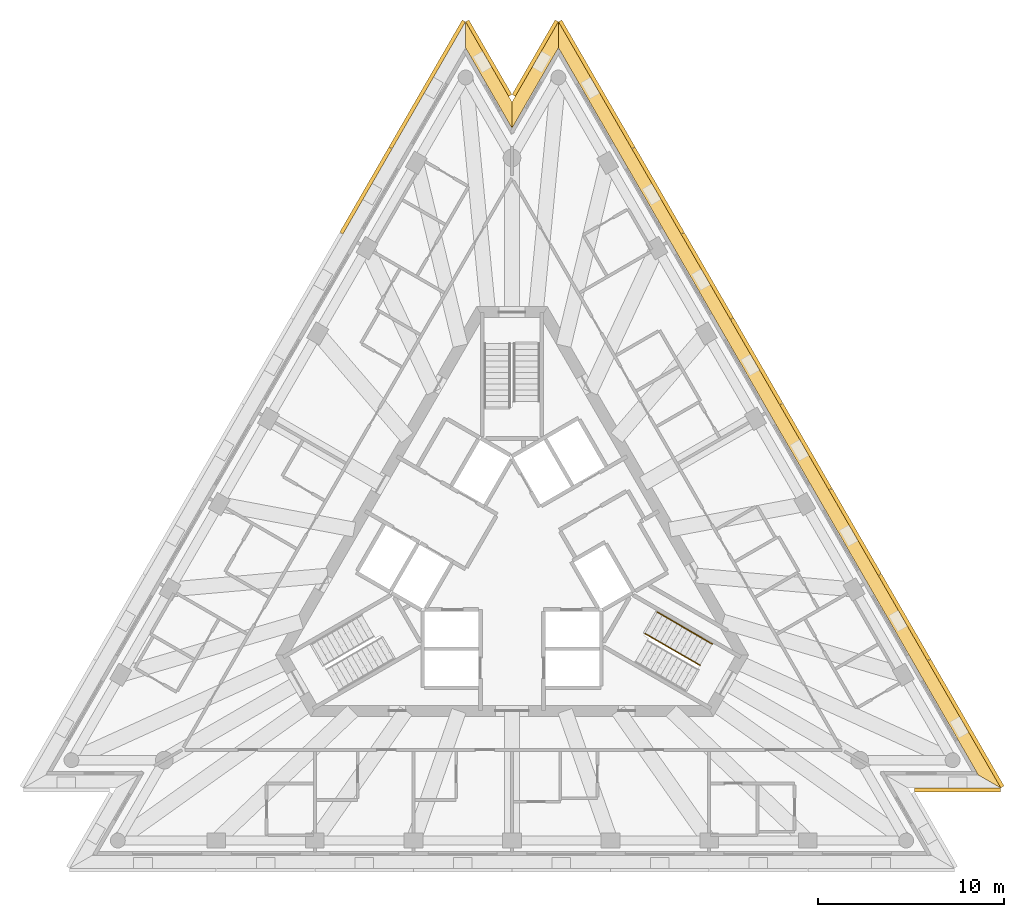
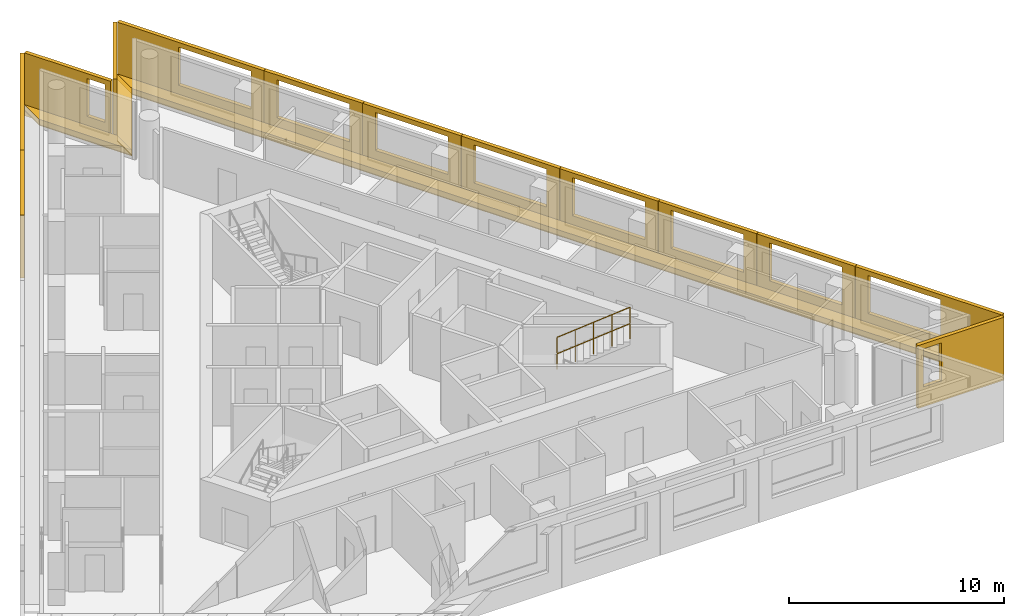
# One storey, part 11 of 11: 16 shading devices, 3 coverings, 2 railings, 1 element without a shape of its own.
"""IFC4 building model written with IfcOpenShell, lengths in metres."""

from ifc_helpers import new_model, si_unit, direction, frame, origin, origin_2d, place, context, subcontext, project, spatial, polyline, circle, outline, extrude, material, layer, layer_set, layer_usage, type_object, element, aggregate, save


model = new_model("IFC4")

# Units and contexts
model_context = context("Model", 3, precision=1e-05, world=origin(), true_north=direction((0.0, 1.0)))
body_context = subcontext(model_context, "Body", "Model", "MODEL_VIEW")
ifc_project = project(units=[si_unit("LENGTHUNIT", "METRE"), si_unit("AREAUNIT", "SQUARE_METRE"), si_unit("VOLUMEUNIT", "CUBIC_METRE"), si_unit("PLANEANGLEUNIT", "RADIAN"), si_unit("MASSUNIT", "GRAM", prefix="KILO")], contexts=[model_context])

# Site, building, storey
site_placement = place(None, origin())
site = spatial("IfcSite", under=ifc_project, at=site_placement, CompositionType="ELEMENT")
building_placement = place(site_placement, origin())
building = spatial("IfcBuilding", under=site, at=building_placement, Name="Triada Interchange Tower", CompositionType="ELEMENT")
storey_placement = place(building_placement, frame((0.0, 0.0, 304.300048828125)))
storey = spatial("IfcBuildingStorey", under=building, at=storey_placement, Name="L72", CompositionType="ELEMENT", Elevation=304.300048828125)

# Coverings
ifc_material_1 = material(Name="Mineral fire-stop board")
ifc_layer_1 = layer(ifc_material_1, 0.0400390625, Name="Mineral fire-stop board")
ifc_material_2 = material(Name="Intumescent sealant")
ifc_layer_2 = layer(ifc_material_2, 0.010009765625, Name="Intumescent seal")
ifc_layer_set_1 = layer_set([ifc_layer_1, ifc_layer_2], Name="Cavity fire stop")
ifc_layer_usage = layer_usage(ifc_layer_set_1, "AXIS3", "POSITIVE", 0.0)
covering_type = type_object("IfcCoveringType", Name="Cavity fire stop", PredefinedType="INSULATION", material=ifc_layer_set_1)
covering_1_placement = place(storey_placement, origin())
element("IfcCovering", 1, at=covering_1_placement, inside=storey, type_object=covering_type, material=ifc_layer_usage, Name="Cavity fire stop L72 NE", PredefinedType="INSULATION", context=body_context, shape_type="SweptSolid", body=[
    extrude(outline(polyline([(25.087890625, -11.60009765625), (26.300048828125, -12.300048828125), (2.498046875, 28.927001953125), (2.498046875, 27.527099609375), (25.087890625, -11.60009765625)])), origin(), (0.0, 0.0, 1.0), 0.050048828125),
])
covering_2_placement = place(storey_placement, origin())
element("IfcCovering", 2, at=covering_2_placement, inside=storey, type_object=covering_type, material=ifc_layer_usage, Name="Cavity fire stop L72 N-1", PredefinedType="INSULATION", context=body_context, shape_type="SweptSolid", body=[
    extrude(outline(polyline([(2.498046875, 27.527099609375), (2.498046875, 28.927001953125), (0.0, 24.59912109375), (0.0, 23.198974609375), (2.498046875, 27.527099609375)])), origin(), (0.0, 0.0, 1.0), 0.050048828125),
])
covering_3_placement = place(storey_placement, origin())
element("IfcCovering", 3, at=covering_3_placement, inside=storey, type_object=covering_type, material=ifc_layer_usage, Name="Cavity fire stop L72 N-2", PredefinedType="INSULATION", context=body_context, shape_type="SweptSolid", body=[
    extrude(outline(polyline([(0.0, 23.198974609375), (0.0, 24.59912109375), (-2.498046875, 28.927001953125), (-2.498046875, 27.527099609375), (0.0, 23.198974609375)])), origin(), (0.0, 0.0, 1.0), 0.050048828125),
])

# Shading devices
ifc_material_3 = material(Name="Aluminium louvre", Category="aluminium")
shading_device_type_1 = type_object("IfcShadingDeviceType", Name="Cavity louvre grille", PredefinedType="JALOUSIE", material=ifc_material_3)
shading_device_1_placement = place(storey_placement, frame((0.0, 0.0, 0.050048828125)))
element("IfcShadingDevice", 4, at=shading_device_1_placement, inside=storey, type_object=shading_device_type_1, Name="Cavity louvre grille L72 NE", PredefinedType="JALOUSIE", context=body_context, shape_type="SweptSolid", body=[
    extrude(outline(polyline([(25.087890625, -11.60009765625), (26.300048828125, -12.300048828125), (2.498046875, 28.927001953125), (2.498046875, 27.527099609375), (25.087890625, -11.60009765625)])), origin(), (0.0, 0.0, 1.0), 0.2998046875),
])
shading_device_2_placement = place(storey_placement, frame((0.0, 0.0, 0.050048828125)))
element("IfcShadingDevice", 5, at=shading_device_2_placement, inside=storey, type_object=shading_device_type_1, Name="Cavity louvre grille L72 N-1", PredefinedType="JALOUSIE", context=body_context, shape_type="SweptSolid", body=[
    extrude(outline(polyline([(2.498046875, 27.527099609375), (2.498046875, 28.927001953125), (0.0, 24.59912109375), (0.0, 23.198974609375), (2.498046875, 27.527099609375)])), origin(), (0.0, 0.0, 1.0), 0.2998046875),
])
shading_device_3_placement = place(storey_placement, frame((0.0, 0.0, 0.050048828125)))
element("IfcShadingDevice", 6, at=shading_device_3_placement, inside=storey, type_object=shading_device_type_1, Name="Cavity louvre grille L72 N-2", PredefinedType="JALOUSIE", context=body_context, shape_type="SweptSolid", body=[
    extrude(outline(polyline([(0.0, 23.198974609375), (0.0, 24.59912109375), (-2.498046875, 28.927001953125), (-2.498046875, 27.527099609375), (0.0, 23.198974609375)])), origin(), (0.0, 0.0, 1.0), 0.2998046875),
])
ifc_material_4 = material(Name="Concrete C50/60 precast", Category="concrete")
ifc_layer_3 = layer(ifc_material_4, 0.02001953125, Name="Exposed aggregate face")
ifc_layer_4 = layer(ifc_material_4, 0.179931640625, Name="Precast concrete screen")
ifc_layer_set_2 = layer_set([ifc_layer_3, ifc_layer_4], Name="Outer skin screen panel 3580")
shading_device_type_2 = type_object("IfcShadingDeviceType", Name="Outer skin screen panel 3580", PredefinedType="SHUTTER", material=ifc_layer_set_2)
shading_device_4_placement = place(storey_placement, frame((-2.5029296875, 28.91796875, -0.2900390625), z_axis=(0.0, 0.0, 1.0), x_axis=(-0.500088123115, -0.865974519902, 0.0)))
element("IfcShadingDevice", 7, at=shading_device_4_placement, inside=storey, type_object=shading_device_type_2, Name="Outer skin screen panel L72 01", PredefinedType="SHUTTER", context=body_context, shape_type="SweptSolid", body=[
    extrude(outline(polyline([(0.0, 0.0), (7.87890625, 0.0), (7.87890625, 3.580078125), (0.0, 3.580078125), (0.0, 0.0)]), holes=[polyline([(3.28857421875, 1.139892578125), (3.28857421875, 3.300048828125), (7.188720703125, 3.300048828125), (7.188720703125, 1.139892578125), (3.28857421875, 1.139892578125)])]), frame((0.0, 0.0, 0.0), z_axis=(0.0, -1.0, 0.0), x_axis=(1.0, 0.0, 0.0)), (0.0, 0.0, 1.0), 0.199951171875),
])
shading_device_5_placement = place(storey_placement, frame((-6.452880859375, 22.076904296875, -0.2900390625), z_axis=(0.0, 0.0, 1.0), x_axis=(-0.499987936291, -0.866032368658, 0.0)))
element("IfcShadingDevice", 8, at=shading_device_5_placement, inside=storey, type_object=shading_device_type_2, Name="Outer skin screen panel L72 02", PredefinedType="SHUTTER", context=body_context, shape_type="SweptSolid", body=[
    extrude(outline(polyline([(0.0, 0.0), (5.280517578125, 0.0), (5.280517578125, 3.580078125), (0.0, 3.580078125), (0.0, 0.0)]), holes=[polyline([(0.6904296875, 1.139892578125), (0.6904296875, 3.300048828125), (4.59033203125, 3.300048828125), (4.59033203125, 1.139892578125), (0.6904296875, 1.139892578125)])]), frame((0.0, 0.0, 0.0), z_axis=(0.0, -1.0, 0.0), x_axis=(1.0, 0.0, 0.0)), (0.0, 0.0, 1.0), 0.199951171875),
])
shading_device_6_placement = place(storey_placement, frame((21.659912109375, -12.300048828125, -0.2900390625), z_axis=(0.0, 0.0, 1.0), x_axis=(1.0, 0.0, 0.0)))
element("IfcShadingDevice", 9, at=shading_device_6_placement, inside=storey, type_object=shading_device_type_2, Name="Outer skin screen panel L72 20", PredefinedType="SHUTTER", context=body_context, shape_type="SweptSolid", body=[
    extrude(outline(polyline([(0.0, 0.0), (4.630126953125, 0.0), (4.630126953125, 3.580078125), (0.0, 3.580078125), (0.0, 0.0)]), holes=[polyline([(0.300048828125, 1.139892578125), (0.300048828125, 3.300048828125), (1.258056640625, 3.300048828125), (1.258056640625, 1.139892578125), (0.300048828125, 1.139892578125)])]), frame((0.0, 0.0, 0.0), z_axis=(0.0, -1.0, 0.0), x_axis=(1.0, 0.0, 0.0)), (0.0, 0.0, 1.0), 0.199951171875),
])
shading_device_7_placement = place(storey_placement, frame((26.294921875, -12.291015625, -0.2900390625), z_axis=(0.0, 0.0, 1.0), x_axis=(-0.499971924588, 0.866041612524, 0.0)))
element("IfcShadingDevice", 10, at=shading_device_7_placement, inside=storey, type_object=shading_device_type_2, Name="Outer skin screen panel L72 21", PredefinedType="SHUTTER", context=body_context, shape_type="SweptSolid", body=[
    extrude(outline(polyline([(0.0, 0.0), (7.87841796875, 0.0), (7.87841796875, 3.580078125), (0.0, 3.580078125), (0.0, 0.0)]), holes=[polyline([(3.288330078125, 1.139892578125), (3.288330078125, 3.300048828125), (7.188232421875, 3.300048828125), (7.188232421875, 1.139892578125), (3.288330078125, 1.139892578125)])]), frame((0.0, 0.0, 0.0), z_axis=(0.0, -1.0, 0.0), x_axis=(1.0, 0.0, 0.0)), (0.0, 0.0, 1.0), 0.199951171875),
])
shading_device_8_placement = place(storey_placement, frame((22.345947265625, -5.449951171875, -0.2900390625), z_axis=(0.0, 0.0, 1.0), x_axis=(-0.500091956443, 0.865972306197, 0.0)))
element("IfcShadingDevice", 11, at=shading_device_8_placement, inside=storey, type_object=shading_device_type_2, Name="Outer skin screen panel L72 22", PredefinedType="SHUTTER", context=body_context, shape_type="SweptSolid", body=[
    extrude(outline(polyline([(0.0, 0.0), (5.28076171875, 0.0), (5.28076171875, 3.580078125), (0.0, 3.580078125), (0.0, 0.0)]), holes=[polyline([(0.690185546875, 1.139892578125), (0.690185546875, 3.300048828125), (4.590087890625, 3.300048828125), (4.590087890625, 1.139892578125), (0.690185546875, 1.139892578125)])]), frame((0.0, 0.0, 0.0), z_axis=(0.0, -1.0, 0.0), x_axis=(1.0, 0.0, 0.0)), (0.0, 0.0, 1.0), 0.199951171875),
])
shading_device_9_placement = place(storey_placement, frame((19.695068359375, -0.860107421875, -0.2900390625), z_axis=(0.0, 0.0, 1.0), x_axis=(-0.499887852359, 0.866090142574, 0.0)))
element("IfcShadingDevice", 12, at=shading_device_9_placement, inside=storey, type_object=shading_device_type_2, Name="Outer skin screen panel L72 23", PredefinedType="SHUTTER", context=body_context, shape_type="SweptSolid", body=[
    extrude(outline(polyline([(0.0, 0.0), (5.281494140625, 0.0), (5.281494140625, 3.580078125), (0.0, 3.580078125), (0.0, 0.0)]), holes=[polyline([(0.690185546875, 1.139892578125), (0.690185546875, 3.300048828125), (4.590087890625, 3.300048828125), (4.590087890625, 1.139892578125), (0.690185546875, 1.139892578125)])]), frame((0.0, 0.0, 0.0), z_axis=(0.0, -1.0, 0.0), x_axis=(1.0, 0.0, 0.0)), (0.0, 0.0, 1.0), 0.199951171875),
])
shading_device_10_placement = place(storey_placement, frame((17.044921875, 3.73095703125, -0.2900390625), z_axis=(0.0, 0.0, 1.0), x_axis=(-0.500011881073, 0.866018544135, 0.0)))
element("IfcShadingDevice", 13, at=shading_device_10_placement, inside=storey, type_object=shading_device_type_2, Name="Outer skin screen panel L72 24", PredefinedType="SHUTTER", context=body_context, shape_type="SweptSolid", body=[
    extrude(outline(polyline([(0.0, 0.0), (5.281494140625, 0.0), (5.281494140625, 3.580078125), (0.0, 3.580078125), (0.0, 0.0)]), holes=[polyline([(0.68994140625, 1.139892578125), (0.68994140625, 3.300048828125), (4.590087890625, 3.300048828125), (4.590087890625, 1.139892578125), (0.68994140625, 1.139892578125)])]), frame((0.0, 0.0, 0.0), z_axis=(0.0, -1.0, 0.0), x_axis=(1.0, 0.0, 0.0)), (0.0, 0.0, 1.0), 0.199951171875),
])
shading_device_11_placement = place(storey_placement, frame((14.39404296875, 8.322021484375, -0.2900390625), z_axis=(0.0, 0.0, 1.0), x_axis=(-0.499907866474, 0.866078590566, 0.0)))
element("IfcShadingDevice", 14, at=shading_device_11_placement, inside=storey, type_object=shading_device_type_2, Name="Outer skin screen panel L72 25", PredefinedType="SHUTTER", context=body_context, shape_type="SweptSolid", body=[
    extrude(outline(polyline([(0.0, 0.0), (5.28125, 0.0), (5.28125, 3.580078125), (0.0, 3.580078125), (0.0, 0.0)]), holes=[polyline([(0.69091796875, 1.139892578125), (0.69091796875, 3.300048828125), (4.591064453125, 3.300048828125), (4.591064453125, 1.139892578125), (0.69091796875, 1.139892578125)])]), frame((0.0, 0.0, 0.0), z_axis=(0.0, -1.0, 0.0), x_axis=(1.0, 0.0, 0.0)), (0.0, 0.0, 1.0), 0.199951171875),
])
shading_device_12_placement = place(storey_placement, frame((11.743896484375, 12.9130859375, -0.2900390625), z_axis=(0.0, 0.0, 1.0), x_axis=(-0.500011881073, 0.866018544135, 0.0)))
element("IfcShadingDevice", 15, at=shading_device_12_placement, inside=storey, type_object=shading_device_type_2, Name="Outer skin screen panel L72 26", PredefinedType="SHUTTER", context=body_context, shape_type="SweptSolid", body=[
    extrude(outline(polyline([(0.0, 0.0), (5.281494140625, 0.0), (5.281494140625, 3.580078125), (0.0, 3.580078125), (0.0, 0.0)]), holes=[polyline([(0.69091796875, 1.139892578125), (0.69091796875, 3.300048828125), (4.5908203125, 3.300048828125), (4.5908203125, 1.139892578125), (0.69091796875, 1.139892578125)])]), frame((0.0, 0.0, 0.0), z_axis=(0.0, -1.0, 0.0), x_axis=(1.0, 0.0, 0.0)), (0.0, 0.0, 1.0), 0.199951171875),
])
shading_device_13_placement = place(storey_placement, frame((9.093017578125, 17.50390625, -0.2900390625), z_axis=(0.0, 0.0, 1.0), x_axis=(-0.499987936291, 0.866032368658, 0.0)))
element("IfcShadingDevice", 16, at=shading_device_13_placement, inside=storey, type_object=shading_device_type_2, Name="Outer skin screen panel L72 27", PredefinedType="SHUTTER", context=body_context, shape_type="SweptSolid", body=[
    extrude(outline(polyline([(0.0, 0.0), (5.280517578125, 0.0), (5.280517578125, 3.580078125), (0.0, 3.580078125), (0.0, 0.0)]), holes=[polyline([(0.69091796875, 1.139892578125), (0.69091796875, 3.300048828125), (4.5908203125, 3.300048828125), (4.5908203125, 1.139892578125), (0.69091796875, 1.139892578125)])]), frame((0.0, 0.0, 0.0), z_axis=(0.0, -1.0, 0.0), x_axis=(1.0, 0.0, 0.0)), (0.0, 0.0, 1.0), 0.199951171875),
])
shading_device_14_placement = place(storey_placement, frame((6.443115234375, 22.094970703125, -0.2900390625), z_axis=(0.0, 0.0, 1.0), x_axis=(-0.500088123115, 0.865974519902, 0.0)))
element("IfcShadingDevice", 17, at=shading_device_14_placement, inside=storey, type_object=shading_device_type_2, Name="Outer skin screen panel L72 28", PredefinedType="SHUTTER", context=body_context, shape_type="SweptSolid", body=[
    extrude(outline(polyline([(0.0, 0.0), (7.87890625, 0.0), (7.87890625, 3.580078125), (0.0, 3.580078125), (0.0, 0.0)]), holes=[polyline([(0.69091796875, 1.139892578125), (0.69091796875, 3.300048828125), (4.5908203125, 3.300048828125), (4.5908203125, 1.139892578125), (0.69091796875, 1.139892578125)])]), frame((0.0, 0.0, 0.0), z_axis=(0.0, -1.0, 0.0), x_axis=(1.0, 0.0, 0.0)), (0.0, 0.0, 1.0), 0.199951171875),
])
shading_device_15_placement = place(storey_placement, frame((2.492919921875, 28.91796875, -0.2900390625), z_axis=(0.0, 0.0, 1.0), x_axis=(-0.499961317165, -0.866047736178, 0.0)))
element("IfcShadingDevice", 18, at=shading_device_15_placement, inside=storey, type_object=shading_device_type_2, Name="Outer skin screen panel L72 29", PredefinedType="SHUTTER", context=body_context, shape_type="SweptSolid", body=[
    extrude(outline(polyline([(0.0, 0.0), (4.630126953125, 0.0), (4.630126953125, 3.580078125), (0.0, 3.580078125), (0.0, 0.0)]), holes=[polyline([(3.17578125, 1.139892578125), (3.17578125, 3.300048828125), (4.330810546875, 3.300048828125), (4.330810546875, 1.139892578125), (3.17578125, 1.139892578125)])]), frame((0.0, 0.0, 0.0), z_axis=(0.0, -1.0, 0.0), x_axis=(1.0, 0.0, 0.0)), (0.0, 0.0, 1.0), 0.199951171875),
])
shading_device_16_placement = place(storey_placement, frame((-0.177978515625, 24.907958984375, -0.2900390625), z_axis=(0.0, 0.0, 1.0), x_axis=(-0.499961317165, 0.866047736178, 0.0)))
element("IfcShadingDevice", 19, at=shading_device_16_placement, inside=storey, type_object=shading_device_type_2, Name="Outer skin screen panel L72 30", PredefinedType="SHUTTER", context=body_context, shape_type="SweptSolid", body=[
    extrude(outline(polyline([(0.0, 0.0), (4.630126953125, 0.0), (4.630126953125, 3.580078125), (0.0, 3.580078125), (0.0, 0.0)]), holes=[polyline([(0.300048828125, 1.139892578125), (0.300048828125, 3.300048828125), (1.2578125, 3.300048828125), (1.2578125, 1.139892578125), (0.300048828125, 1.139892578125)])]), frame((0.0, 0.0, 0.0), z_axis=(0.0, -1.0, 0.0), x_axis=(1.0, 0.0, 0.0)), (0.0, 0.0, 1.0), 0.199951171875),
])

# Stair, railings
ifc_material_5 = material(Name="Concrete C35/45", Category="concrete")
stair_type = type_object("IfcStairType", Name="HALF TURN STAIR 1400", PredefinedType="HALF_TURN_STAIR", material=ifc_material_5)
stair_placement = place(storey_placement, origin())
stair = element("IfcStair", 20, at=stair_placement, inside=storey, type_object=stair_type, Name="Exit stair S71-3", PredefinedType="HALF_TURN_STAIR")
ifc_material_6 = material(Name="Stainless steel 1.4301", Category="steel")
railing_type = type_object("IfcRailingType", Name="STAIR HANDRAIL 900", PredefinedType="HANDRAIL", material=ifc_material_6)
railing_1_placement = place(storey_placement, frame((7.818115234375, -2.839111328125, 1.878173828125)))
railing_1 = element("IfcRailing", 21, at=railing_1_placement, type_object=railing_type, Name="Handrail S71-3 2W", PredefinedType="HANDRAIL", context=body_context, shape_type="SweptSolid", body=[
    extrude(circle(Radius=0.02392578125, at=origin_2d()), frame((0.0, 0.0, 0.8759765625), z_axis=(0.773065188623, -0.4463261027, 0.450736313367), x_axis=(0.499997234054, 0.866027000698, 0.0)), (0.0, 0.0, 1.0), 3.81982421875),
    extrude(circle(Radius=0.02099609375, at=origin_2d()), origin(), (0.0, 0.0, 1.0), 0.851806640625),
    extrude(circle(Radius=0.02099609375, at=origin_2d()), frame((0.73828125, -0.42626953125, 0.430419921875)), (0.0, 0.0, 1.0), 0.851806640625),
    extrude(circle(Radius=0.02099609375, at=origin_2d()), frame((1.4765625, -0.8525390625, 0.86083984375)), (0.0, 0.0, 1.0), 0.851806640625),
    extrude(circle(Radius=0.02099609375, at=origin_2d()), frame((2.214599609375, -1.278564453125, 1.291259765625)), (0.0, 0.0, 1.0), 0.851806640625),
    extrude(circle(Radius=0.02099609375, at=origin_2d()), frame((2.952880859375, -1.704833984375, 1.7216796875)), (0.0, 0.0, 1.0), 0.851806640625),
])
railing_2_placement = place(storey_placement, frame((7.153076171875, -3.990966796875, 1.878173828125)))
railing_2 = element("IfcRailing", 22, at=railing_2_placement, type_object=railing_type, Name="Handrail S71-3 2C", PredefinedType="HANDRAIL", context=body_context, shape_type="SweptSolid", body=[
    extrude(circle(Radius=0.02392578125, at=origin_2d()), frame((0.0, 0.0, 0.8759765625), z_axis=(0.773043134431, -0.446377284073, 0.450723454651), x_axis=(0.500050932918, 0.865995995653, 0.0)), (0.0, 0.0, 1.0), 3.81982421875),
    extrude(circle(Radius=0.02099609375, at=origin_2d()), origin(), (0.0, 0.0, 1.0), 0.851806640625),
    extrude(circle(Radius=0.02099609375, at=origin_2d()), frame((0.73828125, -0.42626953125, 0.430419921875)), (0.0, 0.0, 1.0), 0.851806640625),
    extrude(circle(Radius=0.02099609375, at=origin_2d()), frame((1.4765625, -0.8525390625, 0.86083984375)), (0.0, 0.0, 1.0), 0.851806640625),
    extrude(circle(Radius=0.02099609375, at=origin_2d()), frame((2.214599609375, -1.27880859375, 1.291259765625)), (0.0, 0.0, 1.0), 0.851806640625),
    extrude(circle(Radius=0.02099609375, at=origin_2d()), frame((2.952880859375, -1.705078125, 1.7216796875)), (0.0, 0.0, 1.0), 0.851806640625),
])
aggregate(stair, [railing_1, railing_2])

save(model, "model.ifc")
